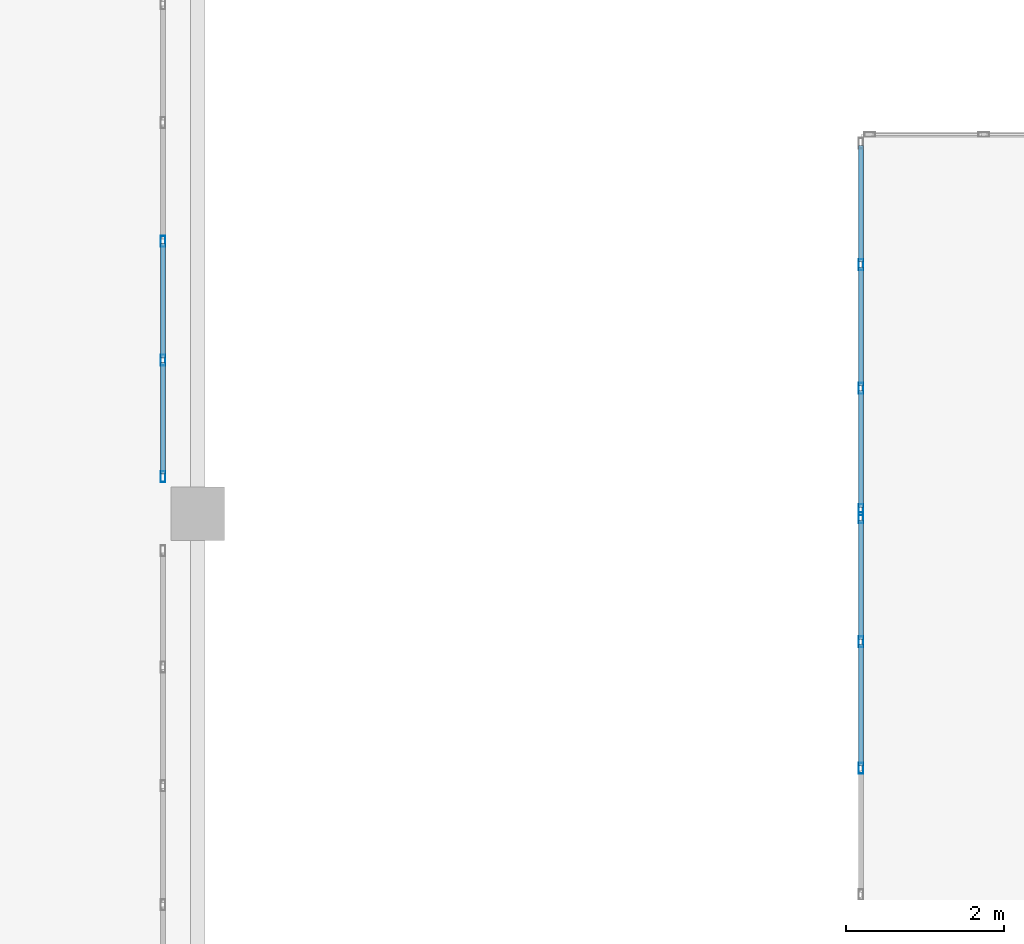
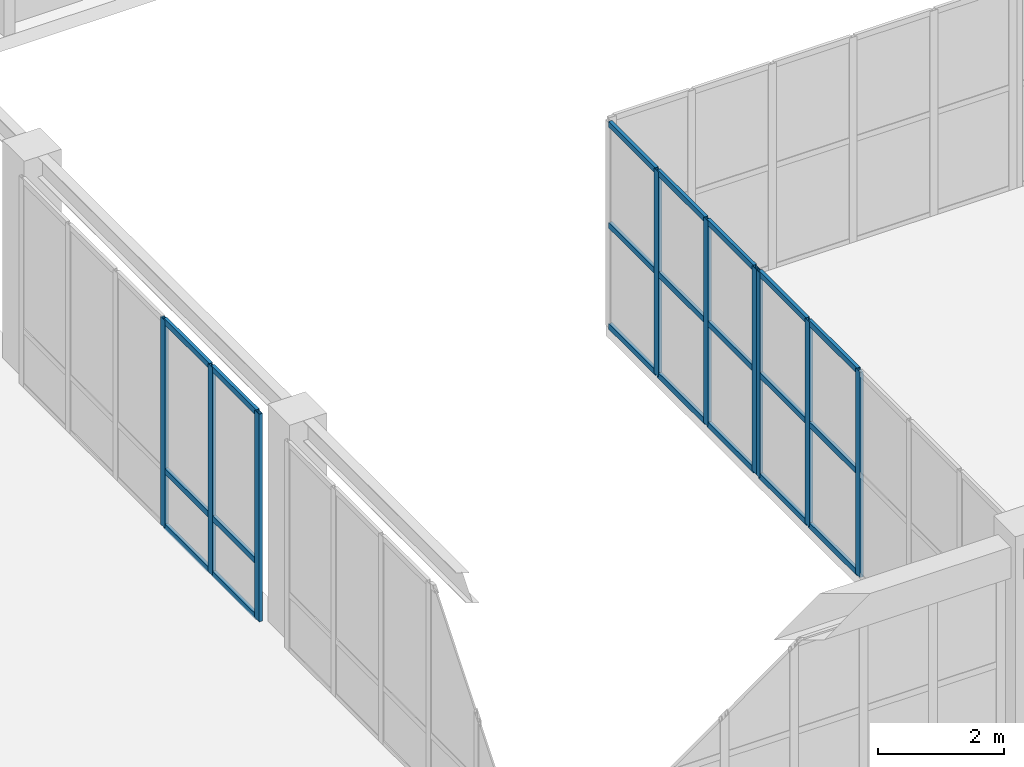
# One storey, part 61 of 140: 30 members, 3 elements without a shape of their own.
"""IFC4 building model written with IfcOpenShell, lengths in metres."""

import ifcopenshell
import ifcopenshell.guid

model = None  # the IFC model being written
_history = None  # IfcOwnerHistory: only IFC2X3 demands one
_inside = {}  # id of a spatial element -> (the spatial element, [elements in it])
_under = {}  # id of a project, library or spatial element -> (it, [spatial elements below it])
_declared = {}  # id of a project -> (the project, [libraries it declares])
_typed = {}  # id of a type object -> (the type object, [elements of that type])
_made_of = {}  # id of a material, layer set ... -> (it, [elements and type objects made of it])


def new_model(schema):
    """Start an empty IFC model of exactly this schema.

    Asked for "IFC4X3", IfcOpenShell would pick the latest addendum, in which some entities
    have other attributes; the version numbers below select the first issue.
    IFC2X3 requires an IfcOwnerHistory on every rooted entity: one is made here for all.
    """
    global model, _history
    if schema == "IFC4X3":
        model = ifcopenshell.file(schema_version=(4, 3, 0, 0))
    else:
        model = ifcopenshell.file(schema=schema)
    _inside.clear()
    _under.clear()
    _declared.clear()
    _typed.clear()
    _made_of.clear()
    _history = None
    if model.schema == "IFC2X3":
        org = make("IfcOrganization", Name="unknown")
        user = make(
            "IfcPersonAndOrganization",
            ThePerson=make("IfcPerson", FamilyName="unknown"),
            TheOrganization=org,
        )
        app = make(
            "IfcApplication",
            ApplicationDeveloper=org,
            Version="unknown",
            ApplicationFullName="unknown",
            ApplicationIdentifier="unknown",
        )
        _history = make(
            "IfcOwnerHistory",
            OwningUser=user,
            OwningApplication=app,
            ChangeAction="ADDED",
            CreationDate=0,
        )
    return model


def make(cls, **values):
    """One entity of the class cls with the attributes given. An attribute that is None is left unset."""
    return model.create_entity(
        cls, **{name: value for name, value in values.items() if value is not None}
    )


def rooted(cls, **values):
    """An entity with a GlobalId (a new one), such as an element, a storey or a relation."""
    return make(cls, GlobalId=ifcopenshell.guid.new(), OwnerHistory=_history, **values)


def si_unit(unit_type, name, prefix=None):
    """IfcSIUnit, for example si_unit("LENGTHUNIT", "METRE", prefix="MILLI")."""
    return make("IfcSIUnit", UnitType=unit_type, Prefix=prefix, Name=name)


def assignment(units):
    """IfcUnitAssignment: the units of a project."""
    return None if units is None else make("IfcUnitAssignment", Units=units)


def point(xyz):
    """IfcCartesianPoint."""
    return None if xyz is None else make("IfcCartesianPoint", Coordinates=xyz)


def direction(xyz):
    """IfcDirection."""
    return None if xyz is None else make("IfcDirection", DirectionRatios=xyz)


def frame(location, z_axis=None, x_axis=None):
    """IfcAxis2Placement3D, a coordinate frame: its origin and axes. An axis left out is left unset."""
    return make(
        "IfcAxis2Placement3D",
        Location=point(location),
        Axis=direction(z_axis),
        RefDirection=direction(x_axis),
    )


def frame_2d(location, x_axis=None):
    """IfcAxis2Placement2D, a coordinate frame in the plane: its origin and x axis."""
    return make(
        "IfcAxis2Placement2D", Location=point(location), RefDirection=direction(x_axis)
    )


def origin():
    """The frame at (0, 0, 0) with its axes left unset."""
    return frame((0.0, 0.0, 0.0))


def origin_2d():
    """The frame at (0, 0) in the plane with its x axis left unset."""
    return frame_2d((0.0, 0.0))


def place(relative_to, where):
    """IfcLocalPlacement: puts the frame where relative to a parent placement (None: the world)."""
    return make(
        "IfcLocalPlacement", PlacementRelTo=relative_to, RelativePlacement=where
    )


def context(
    kind, dimensions, precision=None, world=None, true_north=None, identifier=None
):
    """IfcGeometricRepresentationContext, for example the 3D "Model" context."""
    return make(
        "IfcGeometricRepresentationContext",
        ContextIdentifier=identifier,
        ContextType=kind,
        CoordinateSpaceDimension=dimensions,
        Precision=precision,
        WorldCoordinateSystem=world,
        TrueNorth=true_north,
    )


def subcontext(parent, identifier, kind, view, scale=None):
    """IfcGeometricRepresentationSubContext, for example "Body" below "Model"."""
    return make(
        "IfcGeometricRepresentationSubContext",
        ContextIdentifier=identifier,
        ContextType=kind,
        ParentContext=parent,
        TargetScale=scale,
        TargetView=view,
    )


def project(units=None, contexts=None):
    """IfcProject with its units and contexts."""
    return rooted(
        "IfcProject",
        Name="project",
        RepresentationContexts=contexts,
        UnitsInContext=assignment(units),
    )


def spatial(cls, under=None, at=None, **own):
    """A site, building, storey or space (cls), placed at a placement, below another one or the project."""
    s = rooted(cls, ObjectPlacement=at, **own)
    if under is not None:
        _under.setdefault(under.id(), (under, []))[1].append(s)
    return s


def profile(cls, at=None, kind="AREA", **sizes):
    """A parametric profile (cls). Its sizes go by their IFC names, for example OverallWidth=200.0."""
    return make(cls, ProfileType=kind, Position=at, **sizes)


def hollow_rectangle(**sizes):
    """IfcRectangleHollowProfileDef."""
    return profile("IfcRectangleHollowProfileDef", **sizes)


def extrude(swept, where, along, depth):
    """IfcExtrudedAreaSolid: the profile swept, set in the frame where, extruded along a direction by depth."""
    return make(
        "IfcExtrudedAreaSolid",
        SweptArea=swept,
        Position=where,
        ExtrudedDirection=direction(along),
        Depth=depth,
    )


def shape(context_of_items, identifier, shape_type, items):
    """IfcShapeRepresentation: the items that make up one representation, for example the "Body"."""
    return make(
        "IfcShapeRepresentation",
        ContextOfItems=context_of_items,
        RepresentationIdentifier=identifier,
        RepresentationType=shape_type,
        Items=items,
    )


def material(Name=None, Category=None):
    """IfcMaterial."""
    return make("IfcMaterial", Name=Name, Category=Category)


def layer(
    of_material, thickness, ventilated=None, Name=None, Category=None, Priority=None
):
    """IfcMaterialLayer: one layer of a wall or slab, of a material (None: an air gap)."""
    return make(
        "IfcMaterialLayer",
        Material=of_material,
        LayerThickness=thickness,
        IsVentilated=ventilated,
        Name=Name,
        Category=Category,
        Priority=Priority,
    )


def layer_set(layers, Name=None):
    """IfcMaterialLayerSet."""
    return make("IfcMaterialLayerSet", MaterialLayers=layers, LayerSetName=Name)


def material_profile(
    of_material, cross_section, Name=None, Category=None, Priority=None
):
    """IfcMaterialProfile: a cross section and its material."""
    return make(
        "IfcMaterialProfile",
        Name=Name,
        Material=of_material,
        Profile=cross_section,
        Priority=Priority,
        Category=Category,
    )


def profile_set(profiles, Name=None, composite=None):
    """IfcMaterialProfileSet."""
    return make(
        "IfcMaterialProfileSet",
        Name=Name,
        MaterialProfiles=profiles,
        CompositeProfile=composite,
    )


def made_of(thing, what):
    """Note that an element or type object is made of a material, layer set ...; save() writes the relation."""
    if what is not None:
        _made_of.setdefault(what.id(), (what, []))[1].append(thing)
    return thing


def type_object(cls, material=None, **own):
    """A type object (cls), such as IfcWallType, which elements share."""
    return made_of(rooted(cls, **own), material)


def element(
    cls,
    number,
    at=None,
    inside=None,
    cuts=None,
    type_object=None,
    material=None,
    context=None,
    identifier="Body",
    shape_type=None,
    held_by="IfcProductDefinitionShape",
    body=None,
    shapes=None,
    **own,
):
    """One element of the class cls, such as IfcWall. Its Tag is "e" and its number.

    at: its placement. inside: the storey or other place that contains it. cuts: it is an
    opening in that element (IfcRelVoidsElement). A single representation is given by context,
    identifier, shape_type and body (its items); several are given by shapes. held_by: the class
    of the entity that holds the representations. save() writes the other relations.
    """
    e = rooted(cls, Tag="e%d" % number, ObjectPlacement=at, **own)
    if body is not None:
        shapes = [shape(context, identifier, shape_type, body)]
    if shapes is not None:
        e.Representation = make(held_by, Representations=shapes)
    if inside is not None:
        _inside.setdefault(inside.id(), (inside, []))[1].append(e)
    if cuts is not None:
        rooted(
            "IfcRelVoidsElement", RelatingBuildingElement=cuts, RelatedOpeningElement=e
        )
    if type_object is not None:
        _typed.setdefault(type_object.id(), (type_object, []))[1].append(e)
    return made_of(e, material)


def aggregate(whole, parts):
    """IfcRelAggregates: a whole, such as a stair, and the parts it consists of."""
    return rooted("IfcRelAggregates", RelatingObject=whole, RelatedObjects=parts)


def save(model, path):
    """Write the relations noted so far, then the file.

    IfcRelAggregates (storeys below a building ...), IfcRelContainedInSpatialStructure (elements
    in a storey), IfcRelDefinesByType, IfcRelAssociatesMaterial and IfcRelDeclares: one each for
    every whole, place, type object, material and project.
    """
    for whole, parts in _under.values():
        aggregate(whole, parts)
    for where, things in _inside.values():
        rooted(
            "IfcRelContainedInSpatialStructure",
            RelatedElements=things,
            RelatingStructure=where,
        )
    for kind, things in _typed.values():
        rooted("IfcRelDefinesByType", RelatedObjects=things, RelatingType=kind)
    for what, things in _made_of.values():
        rooted("IfcRelAssociatesMaterial", RelatedObjects=things, RelatingMaterial=what)
    for by, libraries in _declared.values():
        rooted("IfcRelDeclares", RelatingContext=by, RelatedDefinitions=libraries)
    model.write(path)


model = new_model("IFC4")

# Units and contexts
model_context = context("Model", 3, precision=1e-05, world=origin(), true_north=direction((0.0, 1.0)))
body_context = subcontext(model_context, "Body", "Model", "MODEL_VIEW")
ifc_project = project(units=[si_unit("LENGTHUNIT", "METRE"), si_unit("AREAUNIT", "SQUARE_METRE"), si_unit("VOLUMEUNIT", "CUBIC_METRE"), si_unit("PLANEANGLEUNIT", "RADIAN"), si_unit("MASSUNIT", "GRAM", prefix="KILO")], contexts=[model_context])

# Site, building, storey
site_placement = place(None, origin())
site = spatial("IfcSite", under=ifc_project, at=site_placement, CompositionType="ELEMENT")
building_placement = place(site_placement, origin())
building = spatial("IfcBuilding", under=site, at=building_placement, Name="Trelvath General Hospital", CompositionType="ELEMENT")
storey_placement = place(building_placement, frame((0.0, 0.0, 16.199951171875)))
storey = spatial("IfcBuildingStorey", under=building, at=storey_placement, Name="L04", CompositionType="ELEMENT", Elevation=16.199951171875)

# Curtain wall, members
ifc_material_1 = material(Name="Anodised aluminium and low-E glass", Category="aluminium")
ifc_layer_1 = layer(ifc_material_1, 0.139892578125)
ifc_layer_set_1 = layer_set([ifc_layer_1], Name="Anodised aluminium and low-E glass")
curtain_wall_type_1 = type_object("IfcCurtainWallType", Name="CW CrystalCube 801 396 14", PredefinedType="USERDEFINED", material=ifc_layer_set_1)
curtain_wall_1_placement = place(storey_placement, origin())
curtain_wall_1 = element("IfcCurtainWall", 1, at=curtain_wall_1_placement, inside=storey, type_object=curtain_wall_type_1, Name="Crystal Cube Curtain Wall CUBE-E-T1 W4 L04", ObjectType="Unitised Glazed Curtain Wall", PredefinedType="USERDEFINED")
ifc_material_2 = material(Name="Anodised aluminium", Category="aluminium")
ifc_material_profile_1 = material_profile(ifc_material_2, hollow_rectangle(XDim=0.06005859375, YDim=0.139892578125, WallThickness=0.00390625, at=origin_2d()), Name="RHS60x140x4")
ifc_profile_set_1 = profile_set([ifc_material_profile_1], Name="Anodised aluminium")
member_type_1 = type_object("IfcMemberType", Name="CurtainMullion 60x140", PredefinedType="MULLION", material=ifc_profile_set_1)
member_1_placement = place(storey_placement, frame((92.39990234375, 72.3759765625, 0.0), z_axis=(0.0, 0.0, 1.0), x_axis=(-1.0, 0.0, 0.0)))
member_1 = element("IfcMember", 2, at=member_1_placement, type_object=member_type_1, Name="CW-293 mullion 4", PredefinedType="MULLION", context=body_context, shape_type="SweptSolid", body=[
    extrude(hollow_rectangle(XDim=0.06005859375, YDim=0.139892578125, WallThickness=0.00390625, at=origin_2d()), origin(), (0.0, 0.0, 1.0), 3.9599609375),
])
member_2_placement = place(storey_placement, frame((92.39990234375, 73.97802734375, 0.0), z_axis=(0.0, 0.0, 1.0), x_axis=(-1.0, 0.0, 0.0)))
member_2 = element("IfcMember", 3, at=member_2_placement, type_object=member_type_1, Name="CW-293 mullion 5", PredefinedType="MULLION", context=body_context, shape_type="SweptSolid", body=[
    extrude(hollow_rectangle(XDim=0.06005859375, YDim=0.139892578125, WallThickness=0.00390625, at=origin_2d()), origin(), (0.0, 0.0, 1.0), 3.9599609375),
])
member_3_placement = place(storey_placement, frame((92.39990234375, 75.550048828125, 0.0), z_axis=(0.0, 0.0, 1.0), x_axis=(-1.0, 0.0, 0.0)))
member_3 = element("IfcMember", 4, at=member_3_placement, type_object=member_type_1, Name="CW-293 mullion 6", PredefinedType="MULLION", context=body_context, shape_type="SweptSolid", body=[
    extrude(hollow_rectangle(XDim=0.06005859375, YDim=0.139892578125, WallThickness=0.00390625, at=origin_2d()), origin(), (0.0, 0.0, 1.0), 3.9599609375),
])

ifc_material_3 = material(Name="Anodised aluminium and low-E glass", Category="aluminium")
ifc_layer_2 = layer(ifc_material_3, 0.139892578125)
ifc_layer_set_2 = layer_set([ifc_layer_2], Name="Anodised aluminium and low-E glass")
curtain_wall_type_2 = type_object("IfcCurtainWallType", Name="CW CrystalCube 470 396 14", PredefinedType="USERDEFINED", material=ifc_layer_set_2)
curtain_wall_2_placement = place(storey_placement, origin())
curtain_wall_2 = element("IfcCurtainWall", 5, at=curtain_wall_2_placement, inside=storey, type_object=curtain_wall_type_2, Name="Crystal Cube Curtain Wall CUBE-E-T1 W5 L04", ObjectType="Unitised Glazed Curtain Wall", PredefinedType="USERDEFINED")
member_4_placement = place(storey_placement, frame((92.39990234375, 75.64990234375, 0.0), z_axis=(0.0, 0.0, 1.0), x_axis=(-1.0, 0.0, 0.0)))
member_4 = element("IfcMember", 6, at=member_4_placement, type_object=member_type_1, Name="CW-295 mullion 1", PredefinedType="MULLION", context=body_context, shape_type="SweptSolid", body=[
    extrude(hollow_rectangle(XDim=0.06005859375, YDim=0.139892578125, WallThickness=0.00390625, at=origin_2d()), origin(), (0.0, 0.0, 1.0), 3.9599609375),
])
member_5_placement = place(storey_placement, frame((92.39990234375, 77.186767578125, 0.0), z_axis=(0.0, 0.0, 1.0), x_axis=(-1.0, 0.0, 0.0)))
member_5 = element("IfcMember", 7, at=member_5_placement, type_object=member_type_1, Name="CW-295 mullion 2", PredefinedType="MULLION", context=body_context, shape_type="SweptSolid", body=[
    extrude(hollow_rectangle(XDim=0.06005859375, YDim=0.139892578125, WallThickness=0.00390625, at=origin_2d()), origin(), (0.0, 0.0, 1.0), 3.9599609375),
])
member_6_placement = place(storey_placement, frame((92.39990234375, 78.75341796875, 0.0), z_axis=(0.0, 0.0, 1.0), x_axis=(-1.0, 0.0, 0.0)))
member_6 = element("IfcMember", 8, at=member_6_placement, type_object=member_type_1, Name="CW-295 mullion 3", PredefinedType="MULLION", context=body_context, shape_type="SweptSolid", body=[
    extrude(hollow_rectangle(XDim=0.06005859375, YDim=0.139892578125, WallThickness=0.00390625, at=origin_2d()), origin(), (0.0, 0.0, 1.0), 3.9599609375),
])

ifc_material_4 = material(Name="Anodised aluminium and low-E glass", Category="aluminium")
ifc_layer_3 = layer(ifc_material_4, 0.139892578125)
ifc_layer_set_3 = layer_set([ifc_layer_3], Name="Anodised aluminium and low-E glass")
curtain_wall_type_3 = type_object("IfcCurtainWallType", Name="CW Bridge 752 401", PredefinedType="USERDEFINED", material=ifc_layer_set_3)
curtain_wall_3_placement = place(storey_placement, origin())
curtain_wall_3 = element("IfcCurtainWall", 9, at=curtain_wall_3_placement, inside=storey, type_object=curtain_wall_type_3, Name="Glazed Bridge Curtain Wall BRG-N-C E L04", ObjectType="Unitised Glazed Curtain Wall", PredefinedType="USERDEFINED")
member_7_placement = place(storey_placement, frame((83.56005859375, 79.048095703125, 0.0), z_axis=(0.0, 0.0, 1.0), x_axis=(1.0, 0.0, 0.0)))
member_7 = element("IfcMember", 10, at=member_7_placement, type_object=member_type_1, Name="CW-299 mullion 4", PredefinedType="MULLION", context=body_context, shape_type="SweptSolid", body=[
    extrude(hollow_rectangle(XDim=0.06005859375, YDim=0.139892578125, WallThickness=0.00390625, at=origin_2d()), origin(), (0.0, 0.0, 1.0), 4.010009765625),
])
member_8_placement = place(storey_placement, frame((83.56005859375, 77.5439453125, 0.0), z_axis=(0.0, 0.0, 1.0), x_axis=(1.0, 0.0, 0.0)))
member_8 = element("IfcMember", 11, at=member_8_placement, type_object=member_type_1, Name="CW-299 mullion 5", PredefinedType="MULLION", context=body_context, shape_type="SweptSolid", body=[
    extrude(hollow_rectangle(XDim=0.06005859375, YDim=0.139892578125, WallThickness=0.00390625, at=origin_2d()), origin(), (0.0, 0.0, 1.0), 4.010009765625),
])
member_9_placement = place(storey_placement, frame((83.56005859375, 76.070068359375, 0.0), z_axis=(0.0, 0.0, 1.0), x_axis=(1.0, 0.0, 0.0)))
member_9 = element("IfcMember", 12, at=member_9_placement, type_object=member_type_1, Name="CW-299 mullion 6", PredefinedType="MULLION", context=body_context, shape_type="SweptSolid", body=[
    extrude(hollow_rectangle(XDim=0.06005859375, YDim=0.139892578125, WallThickness=0.00390625, at=origin_2d()), origin(), (0.0, 0.0, 1.0), 4.010009765625),
])

# Member
ifc_material_5 = material(Name="Anodised aluminium", Category="aluminium")
ifc_material_profile_2 = material_profile(ifc_material_5, hollow_rectangle(XDim=0.06005859375, YDim=0.110107421875, WallThickness=0.00390625, at=origin_2d()), Name="RHS60x110x4")
ifc_profile_set_2 = profile_set([ifc_material_profile_2], Name="Anodised aluminium")
member_type_2 = type_object("IfcMemberType", Name="CurtainTransom 60x110", PredefinedType="USERDEFINED", material=ifc_profile_set_2)
member_10_placement = place(storey_placement, frame((92.39990234375, 72.406005859375, 0.030029296875), z_axis=(0.0, 1.0, 0.0), x_axis=(-1.0, 0.0, 0.0)))
member_10 = element("IfcMember", 13, at=member_10_placement, type_object=member_type_2, Name="CW-293 transom 4.1", ObjectType="TRANSOM", PredefinedType="USERDEFINED", context=body_context, shape_type="SweptSolid", body=[
    extrude(hollow_rectangle(XDim=0.06005859375, YDim=0.110107421875, WallThickness=0.00390625, at=origin_2d()), origin(), (0.0, 0.0, 1.0), 1.5419921875),
])

member_11_placement = place(storey_placement, frame((92.39990234375, 72.406005859375, 1.97998046875), z_axis=(0.0, 1.0, 0.0), x_axis=(-1.0, 0.0, 0.0)))
member_11 = element("IfcMember", 14, at=member_11_placement, type_object=member_type_2, Name="CW-293 transom 4.2", ObjectType="TRANSOM", PredefinedType="USERDEFINED", context=body_context, shape_type="SweptSolid", body=[
    extrude(hollow_rectangle(XDim=0.06005859375, YDim=0.110107421875, WallThickness=0.00390625, at=origin_2d()), origin(), (0.0, 0.0, 1.0), 1.5419921875),
])

member_12_placement = place(storey_placement, frame((92.39990234375, 72.406005859375, 3.929931640625), z_axis=(0.0, 1.0, 0.0), x_axis=(-1.0, 0.0, 0.0)))
member_12 = element("IfcMember", 15, at=member_12_placement, type_object=member_type_2, Name="CW-293 transom 4.3", ObjectType="TRANSOM", PredefinedType="USERDEFINED", context=body_context, shape_type="SweptSolid", body=[
    extrude(hollow_rectangle(XDim=0.06005859375, YDim=0.110107421875, WallThickness=0.00390625, at=origin_2d()), origin(), (0.0, 0.0, 1.0), 1.5419921875),
])

member_13_placement = place(storey_placement, frame((92.39990234375, 74.008056640625, 0.030029296875), z_axis=(0.0, 1.0, 0.0), x_axis=(-1.0, 0.0, 0.0)))
member_13 = element("IfcMember", 16, at=member_13_placement, type_object=member_type_2, Name="CW-293 transom 5.1", ObjectType="TRANSOM", PredefinedType="USERDEFINED", context=body_context, shape_type="SweptSolid", body=[
    extrude(hollow_rectangle(XDim=0.06005859375, YDim=0.110107421875, WallThickness=0.00390625, at=origin_2d()), origin(), (0.0, 0.0, 1.0), 1.511962890625),
])

member_14_placement = place(storey_placement, frame((92.39990234375, 74.008056640625, 1.97998046875), z_axis=(0.0, 1.0, 0.0), x_axis=(-1.0, 0.0, 0.0)))
member_14 = element("IfcMember", 17, at=member_14_placement, type_object=member_type_2, Name="CW-293 transom 5.2", ObjectType="TRANSOM", PredefinedType="USERDEFINED", context=body_context, shape_type="SweptSolid", body=[
    extrude(hollow_rectangle(XDim=0.06005859375, YDim=0.110107421875, WallThickness=0.00390625, at=origin_2d()), origin(), (0.0, 0.0, 1.0), 1.511962890625),
])

member_15_placement = place(storey_placement, frame((92.39990234375, 74.008056640625, 3.929931640625), z_axis=(0.0, 1.0, 0.0), x_axis=(-1.0, 0.0, 0.0)))
member_15 = element("IfcMember", 18, at=member_15_placement, type_object=member_type_2, Name="CW-293 transom 5.3", ObjectType="TRANSOM", PredefinedType="USERDEFINED", context=body_context, shape_type="SweptSolid", body=[
    extrude(hollow_rectangle(XDim=0.06005859375, YDim=0.110107421875, WallThickness=0.00390625, at=origin_2d()), origin(), (0.0, 0.0, 1.0), 1.511962890625),
])

aggregate(curtain_wall_1, [member_1, member_2, member_3, member_10, member_11, member_12, member_13, member_14, member_15])

member_16_placement = place(storey_placement, frame((92.39990234375, 75.679931640625, 0.030029296875), z_axis=(0.0, 1.0, 0.0), x_axis=(-1.0, 0.0, 0.0)))
member_16 = element("IfcMember", 19, at=member_16_placement, type_object=member_type_2, Name="CW-295 transom 1.1", ObjectType="TRANSOM", PredefinedType="USERDEFINED", context=body_context, shape_type="SweptSolid", body=[
    extrude(hollow_rectangle(XDim=0.06005859375, YDim=0.110107421875, WallThickness=0.00390625, at=origin_2d()), origin(), (0.0, 0.0, 1.0), 1.476806640625),
])

member_17_placement = place(storey_placement, frame((92.39990234375, 75.679931640625, 1.97998046875), z_axis=(0.0, 1.0, 0.0), x_axis=(-1.0, 0.0, 0.0)))
member_17 = element("IfcMember", 20, at=member_17_placement, type_object=member_type_2, Name="CW-295 transom 1.2", ObjectType="TRANSOM", PredefinedType="USERDEFINED", context=body_context, shape_type="SweptSolid", body=[
    extrude(hollow_rectangle(XDim=0.06005859375, YDim=0.110107421875, WallThickness=0.00390625, at=origin_2d()), origin(), (0.0, 0.0, 1.0), 1.476806640625),
])

member_18_placement = place(storey_placement, frame((92.39990234375, 75.679931640625, 3.929931640625), z_axis=(0.0, 1.0, 0.0), x_axis=(-1.0, 0.0, 0.0)))
member_18 = element("IfcMember", 21, at=member_18_placement, type_object=member_type_2, Name="CW-295 transom 1.3", ObjectType="TRANSOM", PredefinedType="USERDEFINED", context=body_context, shape_type="SweptSolid", body=[
    extrude(hollow_rectangle(XDim=0.06005859375, YDim=0.110107421875, WallThickness=0.00390625, at=origin_2d()), origin(), (0.0, 0.0, 1.0), 1.476806640625),
])

member_19_placement = place(storey_placement, frame((92.39990234375, 77.216552734375, 0.030029296875), z_axis=(0.0, 1.0, 0.0), x_axis=(-1.0, 0.0, 0.0)))
member_19 = element("IfcMember", 22, at=member_19_placement, type_object=member_type_2, Name="CW-295 transom 2.1", ObjectType="TRANSOM", PredefinedType="USERDEFINED", context=body_context, shape_type="SweptSolid", body=[
    extrude(hollow_rectangle(XDim=0.06005859375, YDim=0.110107421875, WallThickness=0.00390625, at=origin_2d()), origin(), (0.0, 0.0, 1.0), 1.5068359375),
])

member_20_placement = place(storey_placement, frame((92.39990234375, 77.216552734375, 1.97998046875), z_axis=(0.0, 1.0, 0.0), x_axis=(-1.0, 0.0, 0.0)))
member_20 = element("IfcMember", 23, at=member_20_placement, type_object=member_type_2, Name="CW-295 transom 2.2", ObjectType="TRANSOM", PredefinedType="USERDEFINED", context=body_context, shape_type="SweptSolid", body=[
    extrude(hollow_rectangle(XDim=0.06005859375, YDim=0.110107421875, WallThickness=0.00390625, at=origin_2d()), origin(), (0.0, 0.0, 1.0), 1.5068359375),
])

member_21_placement = place(storey_placement, frame((92.39990234375, 77.216552734375, 3.929931640625), z_axis=(0.0, 1.0, 0.0), x_axis=(-1.0, 0.0, 0.0)))
member_21 = element("IfcMember", 24, at=member_21_placement, type_object=member_type_2, Name="CW-295 transom 2.3", ObjectType="TRANSOM", PredefinedType="USERDEFINED", context=body_context, shape_type="SweptSolid", body=[
    extrude(hollow_rectangle(XDim=0.06005859375, YDim=0.110107421875, WallThickness=0.00390625, at=origin_2d()), origin(), (0.0, 0.0, 1.0), 1.5068359375),
])

member_22_placement = place(storey_placement, frame((92.39990234375, 78.783447265625, 0.030029296875), z_axis=(0.0, 1.0, 0.0), x_axis=(-1.0, 0.0, 0.0)))
member_22 = element("IfcMember", 25, at=member_22_placement, type_object=member_type_2, Name="CW-295 transom 3.1", ObjectType="TRANSOM", PredefinedType="USERDEFINED", context=body_context, shape_type="SweptSolid", body=[
    extrude(hollow_rectangle(XDim=0.06005859375, YDim=0.110107421875, WallThickness=0.00390625, at=origin_2d()), origin(), (0.0, 0.0, 1.0), 1.4765625),
])

member_23_placement = place(storey_placement, frame((92.39990234375, 78.783447265625, 1.97998046875), z_axis=(0.0, 1.0, 0.0), x_axis=(-1.0, 0.0, 0.0)))
member_23 = element("IfcMember", 26, at=member_23_placement, type_object=member_type_2, Name="CW-295 transom 3.2", ObjectType="TRANSOM", PredefinedType="USERDEFINED", context=body_context, shape_type="SweptSolid", body=[
    extrude(hollow_rectangle(XDim=0.06005859375, YDim=0.110107421875, WallThickness=0.00390625, at=origin_2d()), origin(), (0.0, 0.0, 1.0), 1.4765625),
])

member_24_placement = place(storey_placement, frame((92.39990234375, 78.783447265625, 3.929931640625), z_axis=(0.0, 1.0, 0.0), x_axis=(-1.0, 0.0, 0.0)))
member_24 = element("IfcMember", 27, at=member_24_placement, type_object=member_type_2, Name="CW-295 transom 3.3", ObjectType="TRANSOM", PredefinedType="USERDEFINED", context=body_context, shape_type="SweptSolid", body=[
    extrude(hollow_rectangle(XDim=0.06005859375, YDim=0.110107421875, WallThickness=0.00390625, at=origin_2d()), origin(), (0.0, 0.0, 1.0), 1.4765625),
])

aggregate(curtain_wall_2, [member_4, member_5, member_6, member_16, member_17, member_18, member_19, member_20, member_21, member_22, member_23, member_24])

member_25_placement = place(storey_placement, frame((83.56005859375, 79.01806640625, 0.030029296875), z_axis=(0.0, -1.0, 0.0), x_axis=(1.0, 0.0, 0.0)))
member_25 = element("IfcMember", 28, at=member_25_placement, type_object=member_type_2, Name="CW-299 transom 4.1", ObjectType="TRANSOM", PredefinedType="USERDEFINED", context=body_context, shape_type="SweptSolid", body=[
    extrude(hollow_rectangle(XDim=0.06005859375, YDim=0.110107421875, WallThickness=0.00390625, at=origin_2d()), origin(), (0.0, 0.0, 1.0), 1.444091796875),
])

member_26_placement = place(storey_placement, frame((83.56005859375, 79.01806640625, 1.10009765625), z_axis=(0.0, -1.0, 0.0), x_axis=(1.0, 0.0, 0.0)))
member_26 = element("IfcMember", 29, at=member_26_placement, type_object=member_type_2, Name="CW-299 transom 4.2", ObjectType="TRANSOM", PredefinedType="USERDEFINED", context=body_context, shape_type="SweptSolid", body=[
    extrude(hollow_rectangle(XDim=0.06005859375, YDim=0.110107421875, WallThickness=0.00390625, at=origin_2d()), origin(), (0.0, 0.0, 1.0), 1.444091796875),
])

member_27_placement = place(storey_placement, frame((83.56005859375, 79.01806640625, 3.97998046875), z_axis=(0.0, -1.0, 0.0), x_axis=(1.0, 0.0, 0.0)))
member_27 = element("IfcMember", 30, at=member_27_placement, type_object=member_type_2, Name="CW-299 transom 4.3", ObjectType="TRANSOM", PredefinedType="USERDEFINED", context=body_context, shape_type="SweptSolid", body=[
    extrude(hollow_rectangle(XDim=0.06005859375, YDim=0.110107421875, WallThickness=0.00390625, at=origin_2d()), origin(), (0.0, 0.0, 1.0), 1.444091796875),
])

member_28_placement = place(storey_placement, frame((83.56005859375, 77.513916015625, 0.030029296875), z_axis=(0.0, -1.0, 0.0), x_axis=(1.0, 0.0, 0.0)))
member_28 = element("IfcMember", 31, at=member_28_placement, type_object=member_type_2, Name="CW-299 transom 5.1", ObjectType="TRANSOM", PredefinedType="USERDEFINED", context=body_context, shape_type="SweptSolid", body=[
    extrude(hollow_rectangle(XDim=0.06005859375, YDim=0.110107421875, WallThickness=0.00390625, at=origin_2d()), origin(), (0.0, 0.0, 1.0), 1.413818359375),
])

member_29_placement = place(storey_placement, frame((83.56005859375, 77.513916015625, 1.10009765625), z_axis=(0.0, -1.0, 0.0), x_axis=(1.0, 0.0, 0.0)))
member_29 = element("IfcMember", 32, at=member_29_placement, type_object=member_type_2, Name="CW-299 transom 5.2", ObjectType="TRANSOM", PredefinedType="USERDEFINED", context=body_context, shape_type="SweptSolid", body=[
    extrude(hollow_rectangle(XDim=0.06005859375, YDim=0.110107421875, WallThickness=0.00390625, at=origin_2d()), origin(), (0.0, 0.0, 1.0), 1.413818359375),
])

member_30_placement = place(storey_placement, frame((83.56005859375, 77.513916015625, 3.97998046875), z_axis=(0.0, -1.0, 0.0), x_axis=(1.0, 0.0, 0.0)))
member_30 = element("IfcMember", 33, at=member_30_placement, type_object=member_type_2, Name="CW-299 transom 5.3", ObjectType="TRANSOM", PredefinedType="USERDEFINED", context=body_context, shape_type="SweptSolid", body=[
    extrude(hollow_rectangle(XDim=0.06005859375, YDim=0.110107421875, WallThickness=0.00390625, at=origin_2d()), origin(), (0.0, 0.0, 1.0), 1.413818359375),
])

aggregate(curtain_wall_3, [member_7, member_8, member_9, member_25, member_26, member_27, member_28, member_29, member_30])

save(model, "model.ifc")
